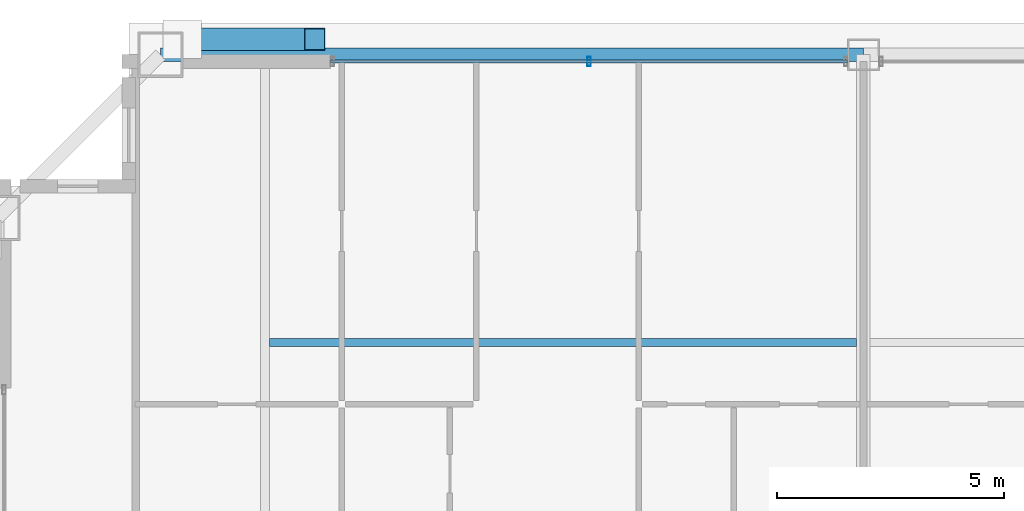
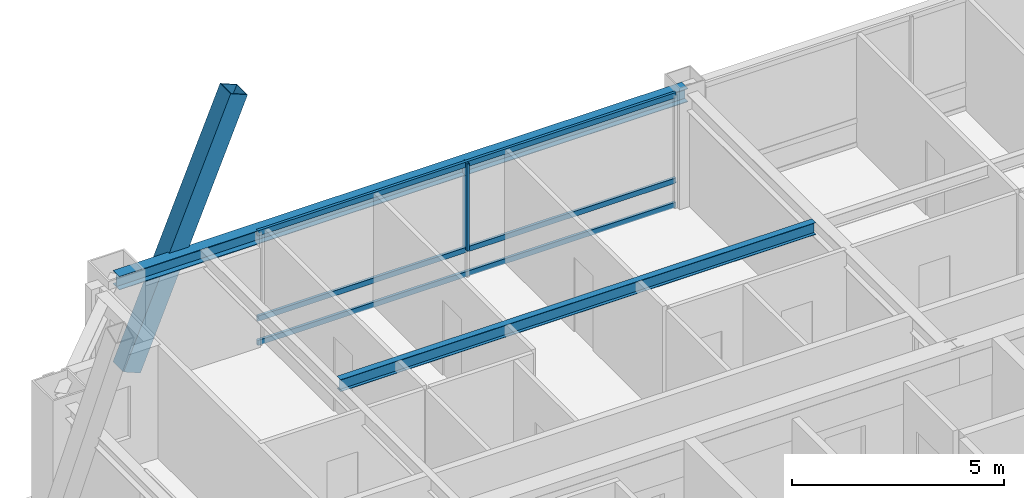
# One storey, part 16 of 35: 5 members, 2 beams, 1 element without a shape of its own.
"""IFC4 building model written with IfcOpenShell, lengths in metres."""

from ifc_helpers import new_model, si_unit, direction, frame, origin, origin_2d, place, context, subcontext, project, spatial, hollow_rectangle, i_section, extrude, source, transform, mapped, material, layer, layer_set, material_profile, profile_set, type_object, element, aggregate, save


model = new_model("IFC4")

# Units and contexts
model_context = context("Model", 3, precision=1e-05, world=origin(), true_north=direction((0.0, 1.0)))
body_context = subcontext(model_context, "Body", "Model", "MODEL_VIEW")
ifc_project = project(units=[si_unit("LENGTHUNIT", "METRE"), si_unit("AREAUNIT", "SQUARE_METRE"), si_unit("VOLUMEUNIT", "CUBIC_METRE"), si_unit("PLANEANGLEUNIT", "RADIAN"), si_unit("MASSUNIT", "GRAM", prefix="KILO"), si_unit("THERMODYNAMICTEMPERATUREUNIT", "KELVIN"), si_unit("POWERUNIT", "WATT")], contexts=[model_context])

# Site, building, storey
site_placement = place(None, origin())
site = spatial("IfcSite", under=ifc_project, at=site_placement, CompositionType="ELEMENT")
building_placement = place(site_placement, origin())
building = spatial("IfcBuilding", under=site, at=building_placement, Name="Yuzanri Waterfront Tower", CompositionType="ELEMENT")
storey_placement = place(building_placement, frame((0.0, 0.0, 335.699951171875)))
storey = spatial("IfcBuildingStorey", under=building, at=storey_placement, Name="L90", CompositionType="ELEMENT", Elevation=335.699951171875)

# Beams
ifc_material_1 = material(Name="Steel Q355B", Category="steel")
ifc_material_profile_1 = material_profile(ifc_material_1, i_section(OverallWidth=0.175048828125, OverallDepth=0.35009765625, WebThickness=0.007080078125, FlangeThickness=0.010986328125, at=origin_2d()), Name="HN 350x175x7x11")
ifc_profile_set_1 = profile_set([ifc_material_profile_1], Name="Steel Q355B")
beam_type_1 = type_object("IfcBeamType", Name="Floor Joist Q355B HN 350x175", PredefinedType="JOIST", material=ifc_profile_set_1)
shared_shape_1 = source(origin(), body_context, "Body", "SweptSolid", [
    extrude(i_section(OverallWidth=0.175048828125, OverallDepth=0.35009765625, WebThickness=0.007080078125, FlangeThickness=0.010986328125, at=origin_2d()), origin(), (0.0, 0.0, 1.0), 12.9501953125),
])
beam_1_placement = place(storey_placement, frame((23.89990234375, 38.550048828125, 3.0849609375), z_axis=(1.0, 0.0, 0.0), x_axis=(0.0, 1.0, 0.0)))
element("IfcBeam", 1, at=beam_1_placement, inside=storey, type_object=beam_type_1, Name="L90 North Bay Joist W", PredefinedType="JOIST", context=body_context, shape_type="MappedRepresentation", body=[
    mapped(shared_shape_1, transform((0.0, 0.0, 0.0), scale=1.0)),
])
ifc_material_2 = material(Name="Steel Q355B", Category="steel")
ifc_material_profile_2 = material_profile(ifc_material_2, i_section(OverallWidth=0.300048828125, OverallDepth=0.389892578125, WebThickness=0.010009765625, FlangeThickness=0.01611328125, at=origin_2d()), Name="HM 390x300x10x16")
ifc_profile_set_2 = profile_set([ifc_material_profile_2], Name="Steel Q355B")
beam_type_2 = type_object("IfcBeamType", Name="Perimeter Spandrel Q355B HM 390x300", PredefinedType="SPANDREL", material=ifc_profile_set_2)
shared_shape_2 = source(origin(), body_context, "Body", "SweptSolid", [
    extrude(i_section(OverallWidth=0.300048828125, OverallDepth=0.389892578125, WebThickness=0.010009765625, FlangeThickness=0.01611328125, at=origin_2d()), origin(), (0.0, 0.0, 1.0), 15.5),
])
beam_2_placement = place(storey_placement, frame((37.0, 44.89990234375, 3.06494140625), z_axis=(-1.0, 0.0, 0.0), x_axis=(0.0, -1.0, 0.0)))
element("IfcBeam", 2, at=beam_2_placement, inside=storey, type_object=beam_type_2, Name="L90 Perimeter Spandrel N2-N1", PredefinedType="SPANDREL", context=body_context, shape_type="MappedRepresentation", body=[
    mapped(shared_shape_2, transform((0.0, 0.0, 0.0), scale=1.0)),
])

# Member
ifc_material_3 = material(Name="Steel Q390GJC", Category="steel")
ifc_material_profile_3 = material_profile(ifc_material_3, hollow_rectangle(XDim=0.5, YDim=0.5, WallThickness=0.02197265625, at=origin_2d()), Name="RHS 500x500x22")
ifc_profile_set_3 = profile_set([ifc_material_profile_3], Name="Steel Q390GJC")
member_type_1 = type_object("IfcMemberType", Name="Mega Brace Upper Q390GJC RHS 500x500x22", PredefinedType="BRACE", material=ifc_profile_set_3)
shared_shape_3 = source(origin(), body_context, "Body", "SweptSolid", [
    extrude(hollow_rectangle(XDim=0.5, YDim=0.5, WallThickness=0.02197265625, at=origin_2d()), origin(), (0.0, 0.0, 1.0), 7.58447265625),
])
member_1_placement = place(storey_placement, frame((21.97998046875, 45.239990234375, 0.179931640625), z_axis=(0.384981052529, 0.0, 0.92292447643), x_axis=(0.0, 1.0, 0.0)))
element("IfcMember", 3, at=member_1_placement, inside=storey, type_object=member_type_1, Name="L90-L91 Perimeter Mega-Brace N-L", PredefinedType="BRACE", context=body_context, shape_type="MappedRepresentation", body=[
    mapped(shared_shape_3, transform((0.0, 0.0, 0.0), scale=1.0)),
])

# Curtain wall, members
ifc_material_4 = material(Name="Anodized Architectural Bronze", Category="metal")
ifc_layer = layer(ifc_material_4, 0.159912109375)
ifc_layer_set = layer_set([ifc_layer], Name="Anodized Architectural Bronze")
curtain_wall_type = type_object("IfcCurtainWallType", Name="Anodized Bronze High-Rise Penthouse High-Wind Unitized Curtain Wall 6900", PredefinedType="NOTDEFINED", material=ifc_layer_set)
curtain_wall_placement = place(storey_placement, origin())
curtain_wall = element("IfcCurtainWall", 4, at=curtain_wall_placement, inside=storey, type_object=curtain_wall_type, Name="L90 Curtain Wall CW-L90-NL", PredefinedType="NOTDEFINED")
ifc_material_5 = material(Name="Anodized Architectural Bronze", Category="metal")
ifc_material_profile_4 = material_profile(ifc_material_5, hollow_rectangle(XDim=0.074951171875, YDim=0.14990234375, WallThickness=0.00390625, at=origin_2d()), Name="CWT 75x150")
ifc_profile_set_4 = profile_set([ifc_material_profile_4], Name="Anodized Architectural Bronze")
member_type_2 = type_object("IfcMemberType", Name="Anodized Bronze Primary Curtain-Wall Transom 75x150", PredefinedType="USERDEFINED", material=ifc_profile_set_4)
shared_shape_4 = source(origin(), body_context, "Body", "SweptSolid", [
    extrude(hollow_rectangle(XDim=0.074951171875, YDim=0.14990234375, WallThickness=0.00390625, at=origin_2d()), origin(), (0.0, 0.0, 1.0), 11.39990234375),
])
member_2_placement = place(storey_placement, frame((25.25, 44.75, 0.050048828125), z_axis=(1.0, 0.0, 0.0), x_axis=(0.0, 1.0, 0.0)))
member_2 = element("IfcMember", 5, at=member_2_placement, type_object=member_type_2, Name="CW-L90-NL Transom 1", ObjectType="TRANSOM", PredefinedType="USERDEFINED", context=body_context, shape_type="MappedRepresentation", body=[
    mapped(shared_shape_4, transform((0.0, 0.0, 0.0), scale=1.0)),
])
member_3_placement = place(storey_placement, frame((25.25, 44.75, 0.75), z_axis=(1.0, 0.0, 0.0), x_axis=(0.0, 1.0, 0.0)))
member_3 = element("IfcMember", 6, at=member_3_placement, type_object=member_type_2, Name="CW-L90-NL Transom 2", ObjectType="TRANSOM", PredefinedType="USERDEFINED", context=body_context, shape_type="MappedRepresentation", body=[
    mapped(shared_shape_4, transform((0.0, 0.0, 0.0), scale=1.0)),
])
member_4_placement = place(storey_placement, frame((25.25, 44.75, 3.2099609375), z_axis=(1.0, 0.0, 0.0), x_axis=(0.0, 1.0, 0.0)))
member_4 = element("IfcMember", 7, at=member_4_placement, type_object=member_type_2, Name="CW-L90-NL Transom 3", ObjectType="TRANSOM", PredefinedType="USERDEFINED", context=body_context, shape_type="MappedRepresentation", body=[
    mapped(shared_shape_4, transform((0.0, 0.0, 0.0), scale=1.0)),
])
ifc_material_6 = material(Name="Anodized Architectural Bronze", Category="metal")
ifc_material_profile_5 = material_profile(ifc_material_6, hollow_rectangle(XDim=0.074951171875, YDim=0.199951171875, WallThickness=0.00390625, at=origin_2d()), Name="CWM 75x200")
ifc_profile_set_5 = profile_set([ifc_material_profile_5], Name="Anodized Architectural Bronze")
member_type_3 = type_object("IfcMemberType", Name="Anodized Bronze Primary Curtain-Wall Mullion 75x200", PredefinedType="MULLION", material=ifc_profile_set_5)
shared_shape_5 = source(origin(), body_context, "Body", "SweptSolid", [
    extrude(hollow_rectangle(XDim=0.074951171875, YDim=0.199951171875, WallThickness=0.00390625, at=origin_2d()), origin(), (0.0, 0.0, 1.0), 2.508056640625),
])
member_5_placement = place(storey_placement, frame((30.949951171875, 44.75, 0.751953125), z_axis=(0.0, 0.0, 1.0), x_axis=(1.0, 0.0, 0.0)))
member_5 = element("IfcMember", 8, at=member_5_placement, type_object=member_type_3, Name="CW-L90-NL Upper Mullion 01", PredefinedType="MULLION", context=body_context, shape_type="MappedRepresentation", body=[
    mapped(shared_shape_5, transform((0.0, 0.0, 0.0), scale=1.0)),
])
aggregate(curtain_wall, [member_5, member_2, member_3, member_4])

save(model, "model.ifc")
